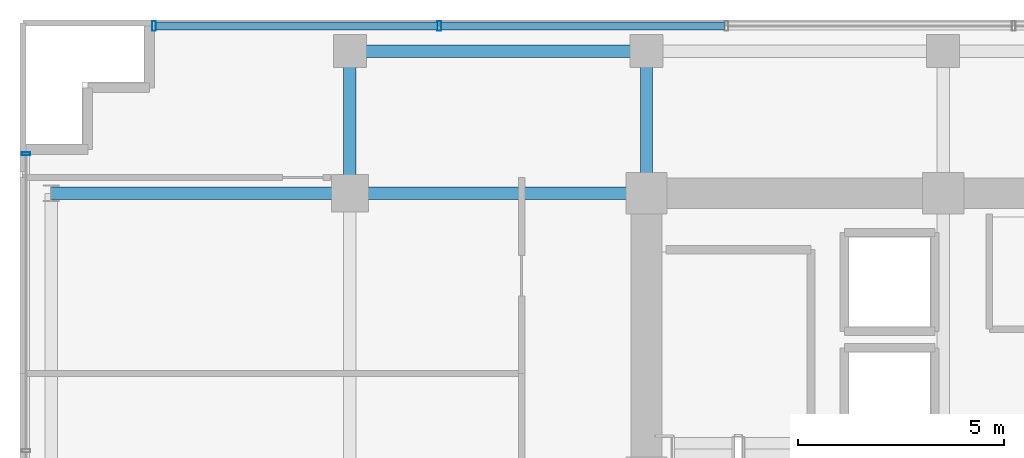
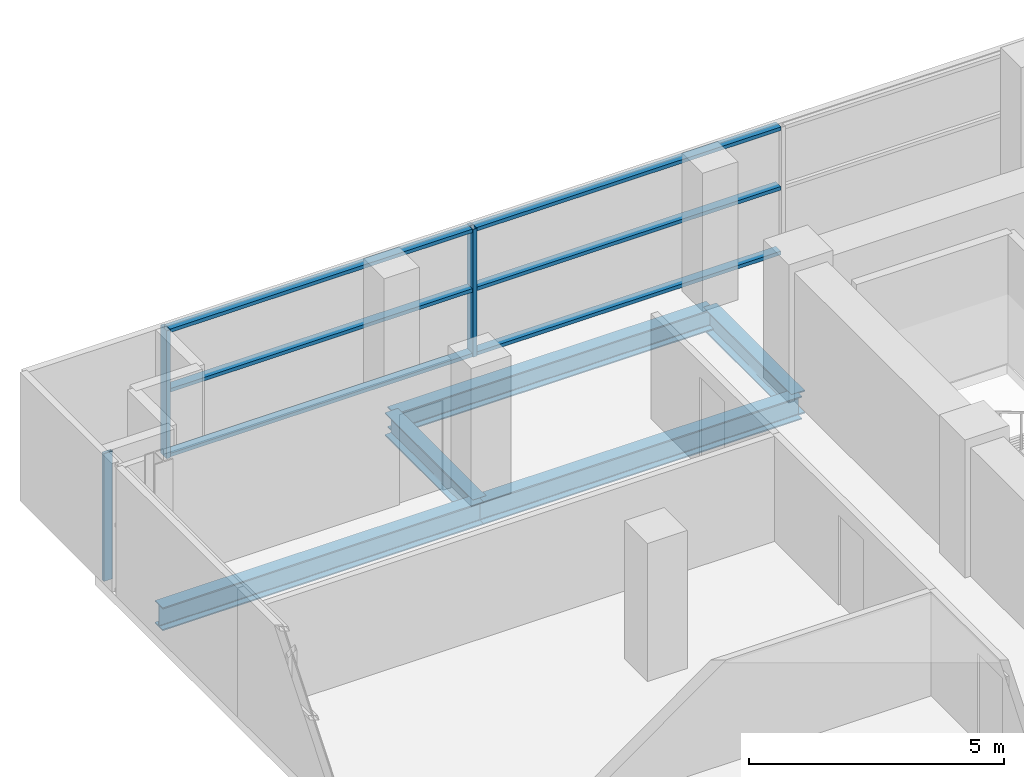
# One storey, part 14 of 27: 9 members, 5 beams, 2 elements without a shape of their own.
"""IFC4 building model written with IfcOpenShell, lengths in metres."""

from ifc_helpers import new_model, si_unit, direction, frame, origin, origin_2d, place, context, subcontext, project, spatial, hollow_rectangle, i_section, extrude, source, transform, mapped, material, layer, layer_set, material_profile, profile_set, type_object, element, aggregate, save


model = new_model("IFC4")

# Units and contexts
model_context = context("Model", 3, precision=1e-05, world=origin(), true_north=direction((0.0, 1.0)))
body_context = subcontext(model_context, "Body", "Model", "MODEL_VIEW")
ifc_project = project(units=[si_unit("LENGTHUNIT", "METRE"), si_unit("AREAUNIT", "SQUARE_METRE"), si_unit("VOLUMEUNIT", "CUBIC_METRE"), si_unit("PLANEANGLEUNIT", "RADIAN"), si_unit("MASSUNIT", "GRAM", prefix="KILO")], contexts=[model_context])

# Site, building, storey
site_placement = place(None, origin())
site = spatial("IfcSite", under=ifc_project, at=site_placement, CompositionType="ELEMENT")
building_placement = place(site_placement, origin())
building = spatial("IfcBuilding", under=site, at=building_placement, Name="Zarnakvel Exchange Tower", CompositionType="ELEMENT")
storey_placement = place(building_placement, frame((0.0, 0.0, 106.60009765625)))
storey = spatial("IfcBuildingStorey", under=building, at=storey_placement, Name="L29", CompositionType="ELEMENT", Elevation=106.60009765625)

# Beams
ifc_material_1 = material(Name="Steel S355", Category="steel")
ifc_material_profile_1 = material_profile(ifc_material_1, i_section(OverallWidth=0.300048828125, OverallDepth=0.550048828125, WebThickness=0.014892578125, FlangeThickness=0.029052734375, FilletRadius=0.027099609375, at=origin_2d()))
ifc_profile_set_1 = profile_set([ifc_material_profile_1], Name="Steel S355")
beam_type_1 = type_object("IfcBeamType", Name="G-05", PredefinedType="BEAM", material=ifc_profile_set_1)
beam_1_placement = place(storey_placement, frame((-28.85009765625, 13.5, -0.5), z_axis=(1.0, 0.0, 0.0), x_axis=(0.0, 1.0, 0.0)))
element("IfcBeam", 1, at=beam_1_placement, inside=storey, type_object=beam_type_1, Name="L29 Tower E-W Frame Beam", PredefinedType="BEAM", context=body_context, shape_type="SweptSolid", body=[
    extrude(i_section(OverallWidth=0.300048828125, OverallDepth=0.550048828125, WebThickness=0.014892578125, FlangeThickness=0.029052734375, FilletRadius=0.027099609375, at=origin_2d()), origin(), (0.0, 0.0, 1.0), 7.25),
])
beam_2_placement = place(storey_placement, frame((-21.60009765625, 13.5, -0.5), z_axis=(1.0, 0.0, 0.0), x_axis=(0.0, 1.0, 0.0)))
element("IfcBeam", 2, at=beam_2_placement, inside=storey, type_object=beam_type_1, Name="L29 Tower E-W Frame Beam", PredefinedType="BEAM", context=body_context, shape_type="SweptSolid", body=[
    extrude(i_section(OverallWidth=0.300048828125, OverallDepth=0.550048828125, WebThickness=0.014892578125, FlangeThickness=0.029052734375, FilletRadius=0.027099609375, at=origin_2d()), origin(), (0.0, 0.0, 1.0), 7.2001953125),
])
for number, where, z_axis, x_axis, name in (
    (3, (-21.60009765625, 13.5, -0.5), (0.0, 1.0, 0.0), (-1.0, 0.0, 0.0), "L29 Tower N-S Frame Beam"),
    (4, (-14.39990234375, 13.5, -0.5), (0.0, 1.0, 0.0), (-1.0, 0.0, 0.0), "L29 Tower N-S Frame Beam"),
):
    element("IfcBeam", number, at=place(storey_placement, frame(where, z_axis=z_axis, x_axis=x_axis)), inside=storey, type_object=beam_type_1, Name=name, PredefinedType="BEAM", context=body_context, shape_type="SweptSolid", body=[
        extrude(i_section(OverallWidth=0.300048828125, OverallDepth=0.550048828125, WebThickness=0.014892578125, FlangeThickness=0.029052734375, FilletRadius=0.027099609375, at=origin_2d()), origin(), (0.0, 0.0, 1.0), 3.449951171875),
    ])
ifc_material_profile_2 = material_profile(ifc_material_1, i_section(OverallWidth=0.300048828125, OverallDepth=0.5, WebThickness=0.014404296875, FlangeThickness=0.028076171875, FilletRadius=0.027099609375, at=origin_2d()))
ifc_profile_set_2 = profile_set([ifc_material_profile_2], Name="Steel S355")
beam_type_2 = type_object("IfcBeamType", Name="SP-02", PredefinedType="SPANDREL", material=ifc_profile_set_2)
beam_3_placement = place(storey_placement, frame((-21.60009765625, 16.949951171875, -0.47509765625), z_axis=(1.0, 0.0, 0.0), x_axis=(0.0, 1.0, 0.0)))
element("IfcBeam", 5, at=beam_3_placement, inside=storey, type_object=beam_type_2, Name="L29 Tower E-W Frame Beam", PredefinedType="SPANDREL", context=body_context, shape_type="SweptSolid", body=[
    extrude(i_section(OverallWidth=0.300048828125, OverallDepth=0.5, WebThickness=0.014404296875, FlangeThickness=0.028076171875, FilletRadius=0.027099609375, at=origin_2d()), origin(), (0.0, 0.0, 1.0), 7.2001953125),
])

# Curtain wall, members
ifc_material_2 = material(Name="Architectural Bronze Anodised Aluminium", Category="aluminium")
ifc_layer_1 = layer(ifc_material_2, 0.239990234375)
ifc_layer_set_1 = layer_set([ifc_layer_1], Name="Architectural Bronze Anodised Aluminium")
curtain_wall_type_1 = type_object("IfcCurtainWallType", Name="CW-02", PredefinedType="NOTDEFINED", material=ifc_layer_set_1)
curtain_wall_1_placement = place(storey_placement, origin())
curtain_wall_1 = element("IfcCurtainWall", 6, at=curtain_wall_1_placement, inside=storey, type_object=curtain_wall_type_1, Name="L29 Curtain Wall CW-L29-N1 (CW-02)", PredefinedType="NOTDEFINED")
ifc_material_profile_3 = material_profile(ifc_material_2, hollow_rectangle(XDim=0.239990234375, YDim=0.090087890625, WallThickness=0.006103515625, at=origin_2d()))
ifc_profile_set_3 = profile_set([ifc_material_profile_3], Name="Architectural Bronze Anodised Aluminium")
member_type_1 = type_object("IfcMemberType", Name="CWM-02", PredefinedType="MULLION", material=ifc_profile_set_3)
shared_shape_1 = source(origin(), body_context, "Body", "SweptSolid", [
    extrude(hollow_rectangle(XDim=0.239990234375, YDim=0.090087890625, WallThickness=0.006103515625, at=origin_2d()), origin(), (0.0, 0.0, 1.0), 3.054931640625),
])
member_1_placement = place(storey_placement, frame((-26.35498046875, 17.56005859375, 0.0), z_axis=(0.0, 0.0, 1.0), x_axis=(0.0, 1.0, 0.0)))
member_1 = element("IfcMember", 7, at=member_1_placement, type_object=member_type_1, Name="CW-02 mullion 1", PredefinedType="MULLION", context=body_context, shape_type="MappedRepresentation", body=[
    mapped(shared_shape_1, transform((0.0, 0.0, 0.0), x_axis=(1.0, 0.0, 0.0), y_axis=(0.0, 1.0, 0.0), z_axis=(0.0, 0.0, 1.0), scale=1.0)),
])
member_2_placement = place(storey_placement, frame((-19.428466796875, 17.56005859375, 0.0), z_axis=(0.0, 0.0, 1.0), x_axis=(0.0, 1.0, 0.0)))
member_2 = element("IfcMember", 8, at=member_2_placement, type_object=member_type_1, Name="CW-02 mullion 2", PredefinedType="MULLION", context=body_context, shape_type="MappedRepresentation", body=[
    mapped(shared_shape_1, transform((0.0, 0.0, 0.0), x_axis=(1.0, 0.0, 0.0), y_axis=(0.0, 1.0, 0.0), z_axis=(0.0, 0.0, 1.0), scale=1.0)),
])

# Curtain wall, member
ifc_layer_2 = layer(ifc_material_2, 0.199951171875)
ifc_layer_set_2 = layer_set([ifc_layer_2], Name="Architectural Bronze Anodised Aluminium")
curtain_wall_type_2 = type_object("IfcCurtainWallType", Name="CW-04", PredefinedType="NOTDEFINED", material=ifc_layer_set_2)
curtain_wall_2_placement = place(storey_placement, origin())
curtain_wall_2 = element("IfcCurtainWall", 9, at=curtain_wall_2_placement, inside=storey, type_object=curtain_wall_type_2, Name="L29 Curtain Wall CW-L29-W1 (CW-04)", PredefinedType="NOTDEFINED")
ifc_material_profile_4 = material_profile(ifc_material_2, hollow_rectangle(XDim=0.199951171875, YDim=0.074951171875, WallThickness=0.0048828125, at=origin_2d()))
ifc_profile_set_4 = profile_set([ifc_material_profile_4], Name="Architectural Bronze Anodised Aluminium")
member_type_2 = type_object("IfcMemberType", Name="CWM-04", PredefinedType="MULLION", material=ifc_profile_set_4)
shared_shape_2 = source(origin(), body_context, "Body", "SweptSolid", [
    extrude(hollow_rectangle(XDim=0.199951171875, YDim=0.074951171875, WallThickness=0.0048828125, at=origin_2d()), origin(), (0.0, 0.0, 1.0), 3.054931640625),
])
member_3_placement = place(storey_placement, frame((-29.4599609375, 14.46240234375, 0.0), z_axis=(0.0, 0.0, 1.0), x_axis=(-1.0, 0.0, 0.0)))
member_3 = element("IfcMember", 10, at=member_3_placement, type_object=member_type_2, Name="CW-04 mullion 5", PredefinedType="MULLION", context=body_context, shape_type="MappedRepresentation", body=[
    mapped(shared_shape_2, transform((0.0, 0.0, 0.0), x_axis=(1.0, 0.0, 0.0), y_axis=(0.0, 1.0, 0.0), z_axis=(0.0, 0.0, 1.0), scale=1.0)),
])
aggregate(curtain_wall_2, [member_3])

# Member
ifc_material_profile_5 = material_profile(ifc_material_2, hollow_rectangle(XDim=0.199951171875, YDim=0.0849609375, WallThickness=0.0048828125, at=origin_2d()))
ifc_profile_set_5 = profile_set([ifc_material_profile_5], Name="Architectural Bronze Anodised Aluminium")
member_type_3 = type_object("IfcMemberType", Name="CWT-02", PredefinedType="USERDEFINED", material=ifc_profile_set_5)
shared_shape_3 = source(origin(), body_context, "Body", "SweptSolid", [
    extrude(hollow_rectangle(XDim=0.199951171875, YDim=0.0849609375, WallThickness=0.0048828125, at=origin_2d()), origin(), (0.0, 0.0, 1.0), 6.83642578125),
])
member_4_placement = place(storey_placement, frame((-26.31005859375, 17.56005859375, 0.04248046875), z_axis=(1.0, 0.0, 0.0), x_axis=(0.0, 1.0, 0.0)))
member_4 = element("IfcMember", 11, at=member_4_placement, type_object=member_type_3, Name="CW-02 transom 1.1", ObjectType="TRANSOM", PredefinedType="USERDEFINED", context=body_context, shape_type="MappedRepresentation", body=[
    mapped(shared_shape_3, transform((0.0, 0.0, 0.0), x_axis=(1.0, 0.0, 0.0), y_axis=(0.0, 1.0, 0.0), z_axis=(0.0, 0.0, 1.0), scale=1.0)),
])

member_5_placement = place(storey_placement, frame((-26.31005859375, 17.56005859375, 1.588623046875), z_axis=(1.0, 0.0, 0.0), x_axis=(0.0, 1.0, 0.0)))
member_5 = element("IfcMember", 12, at=member_5_placement, type_object=member_type_3, Name="CW-02 transom 1.2", ObjectType="TRANSOM", PredefinedType="USERDEFINED", context=body_context, shape_type="MappedRepresentation", body=[
    mapped(shared_shape_3, transform((0.0, 0.0, 0.0), x_axis=(1.0, 0.0, 0.0), y_axis=(0.0, 1.0, 0.0), z_axis=(0.0, 0.0, 1.0), scale=1.0)),
])

member_6_placement = place(storey_placement, frame((-26.31005859375, 17.56005859375, 3.012451171875), z_axis=(1.0, 0.0, 0.0), x_axis=(0.0, 1.0, 0.0)))
member_6 = element("IfcMember", 13, at=member_6_placement, type_object=member_type_3, Name="CW-02 transom 1.3", ObjectType="TRANSOM", PredefinedType="USERDEFINED", context=body_context, shape_type="MappedRepresentation", body=[
    mapped(shared_shape_3, transform((0.0, 0.0, 0.0), x_axis=(1.0, 0.0, 0.0), y_axis=(0.0, 1.0, 0.0), z_axis=(0.0, 0.0, 1.0), scale=1.0)),
])

shared_shape_4 = source(origin(), body_context, "Body", "SweptSolid", [
    extrude(hollow_rectangle(XDim=0.199951171875, YDim=0.0849609375, WallThickness=0.0048828125, at=origin_2d()), origin(), (0.0, 0.0, 1.0), 6.88134765625),
])
member_7_placement = place(storey_placement, frame((-19.383544921875, 17.56005859375, 0.04248046875), z_axis=(1.0, 0.0, 0.0), x_axis=(0.0, 1.0, 0.0)))
member_7 = element("IfcMember", 14, at=member_7_placement, type_object=member_type_3, Name="CW-02 transom 2.1", ObjectType="TRANSOM", PredefinedType="USERDEFINED", context=body_context, shape_type="MappedRepresentation", body=[
    mapped(shared_shape_4, transform((0.0, 0.0, 0.0), x_axis=(1.0, 0.0, 0.0), y_axis=(0.0, 1.0, 0.0), z_axis=(0.0, 0.0, 1.0), scale=1.0)),
])

member_8_placement = place(storey_placement, frame((-19.383544921875, 17.56005859375, 1.588623046875), z_axis=(1.0, 0.0, 0.0), x_axis=(0.0, 1.0, 0.0)))
member_8 = element("IfcMember", 15, at=member_8_placement, type_object=member_type_3, Name="CW-02 transom 2.2", ObjectType="TRANSOM", PredefinedType="USERDEFINED", context=body_context, shape_type="MappedRepresentation", body=[
    mapped(shared_shape_4, transform((0.0, 0.0, 0.0), x_axis=(1.0, 0.0, 0.0), y_axis=(0.0, 1.0, 0.0), z_axis=(0.0, 0.0, 1.0), scale=1.0)),
])

member_9_placement = place(storey_placement, frame((-19.383544921875, 17.56005859375, 3.012451171875), z_axis=(1.0, 0.0, 0.0), x_axis=(0.0, 1.0, 0.0)))
member_9 = element("IfcMember", 16, at=member_9_placement, type_object=member_type_3, Name="CW-02 transom 2.3", ObjectType="TRANSOM", PredefinedType="USERDEFINED", context=body_context, shape_type="MappedRepresentation", body=[
    mapped(shared_shape_4, transform((0.0, 0.0, 0.0), x_axis=(1.0, 0.0, 0.0), y_axis=(0.0, 1.0, 0.0), z_axis=(0.0, 0.0, 1.0), scale=1.0)),
])

aggregate(curtain_wall_1, [member_1, member_2, member_4, member_5, member_6, member_7, member_8, member_9])

save(model, "model.ifc")
